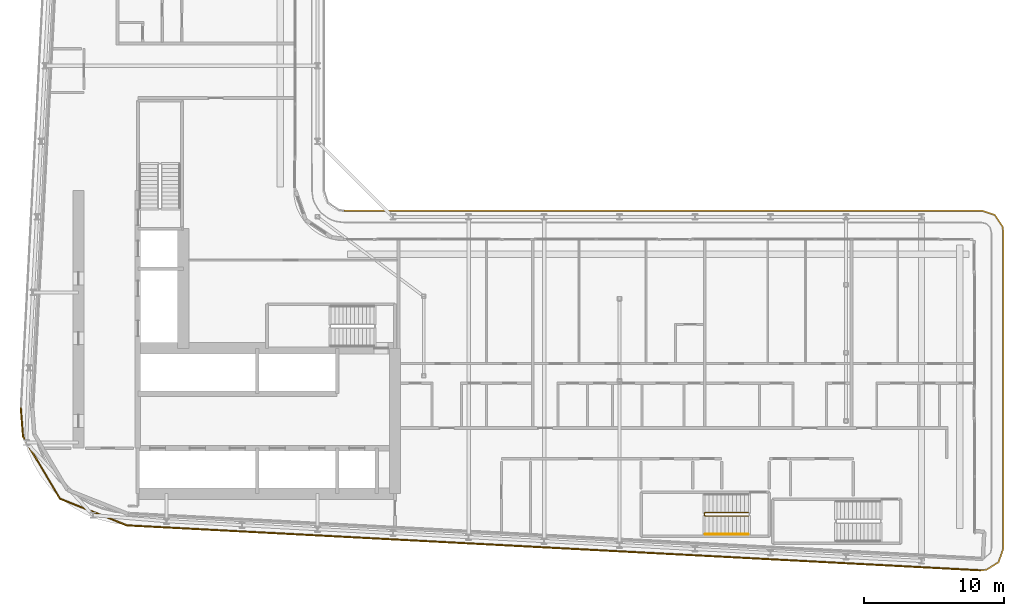
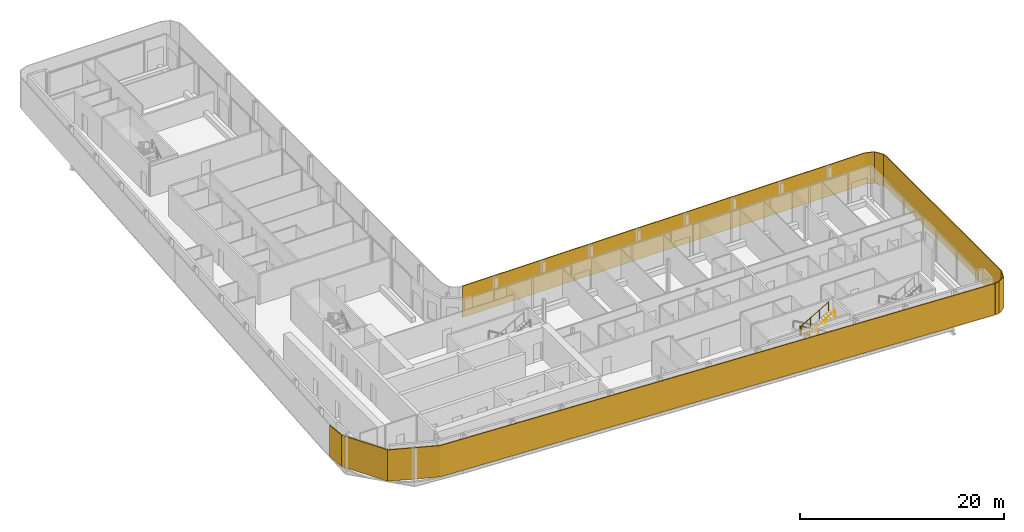
# One storey, part 25 of 29: 2 railings, 2 shading devices.
"""IFC4 building model written with IfcOpenShell, lengths in metres."""

from ifc_helpers import new_model, si_unit, direction, frame, origin, origin_2d, place, context, subcontext, project, spatial, polyline, circle, outline, extrude, material, layer, layer_set, type_object, element, save


model = new_model("IFC4")

# Units and contexts
model_context = context("Model", 3, precision=1e-05, world=origin(), true_north=direction((0.0, 1.0)))
body_context = subcontext(model_context, "Body", "Model", "MODEL_VIEW")
ifc_project = project(units=[si_unit("LENGTHUNIT", "METRE"), si_unit("AREAUNIT", "SQUARE_METRE"), si_unit("VOLUMEUNIT", "CUBIC_METRE"), si_unit("PLANEANGLEUNIT", "RADIAN"), si_unit("MASSUNIT", "GRAM", prefix="KILO")], contexts=[model_context])

# Site, building, storey
site_placement = place(None, origin())
site = spatial("IfcSite", under=ifc_project, at=site_placement, CompositionType="ELEMENT")
building_placement = place(site_placement, origin())
building = spatial("IfcBuilding", under=site, at=building_placement, Name="Kheshtan School and Residences Tower", CompositionType="ELEMENT")
storey_placement = place(building_placement, frame((0.0, 0.0, 172.10009765625)))
storey = spatial("IfcBuildingStorey", under=building, at=storey_placement, Name="L40", CompositionType="ELEMENT", Elevation=172.10009765625)

# Shading devices
ifc_material_1 = material(Name="Terracotta baguette, extruded ceramic", Category="masonry")
ifc_layer_1 = layer(ifc_material_1, 0.10009765625)
ifc_layer_set_1 = layer_set([ifc_layer_1], Name="Ledge screen, terracotta baguettes")
shading_device_type_1 = type_object("IfcShadingDeviceType", Name="Ledge screen, terracotta baguettes", PredefinedType="USERDEFINED", material=ifc_layer_set_1)
shading_device_1_placement = place(storey_placement, origin())
element("IfcShadingDevice", 1, at=shading_device_1_placement, inside=storey, type_object=shading_device_type_1, Name="Screen L40 3", ObjectType="BAGUETTE", PredefinedType="USERDEFINED", context=body_context, shape_type="SweptSolid", body=[
    extrude(outline(polyline([(95.02099609375, 20.366943359375), (33.989013671875, 23.580078125), (29.2119140625, 25.486083984375), (26.583984375, 29.906982421875), (26.419921875, 31.989013671875), (26.320068359375, 31.98095703125), (26.486083984375, 29.8759765625), (29.14306640625, 25.406005859375), (33.967041015625, 23.48095703125), (95.01611328125, 20.26708984375), (95.02099609375, 20.366943359375)])), origin(), (0.0, 0.0, 1.0), 3.75),
])
ifc_material_2 = material(Name="Terracotta lattice, extruded ceramic", Category="masonry")
ifc_layer_2 = layer(ifc_material_2, 0.10009765625)
ifc_layer_set_2 = layer_set([ifc_layer_2], Name="Loggia screen, terracotta lattice")
shading_device_type_2 = type_object("IfcShadingDeviceType", Name="Loggia screen, terracotta lattice", PredefinedType="USERDEFINED", material=ifc_layer_set_2)
shading_device_2_placement = place(storey_placement, origin())
element("IfcShadingDevice", 2, at=shading_device_2_placement, inside=storey, type_object=shading_device_type_2, Name="Screen L40 2", ObjectType="SCREEN", PredefinedType="USERDEFINED", context=body_context, shape_type="SweptSolid", body=[
    extrude(outline(polyline([(49.5, 46.0), (95.10009765625, 46.0), (96.012939453125, 45.68994140625), (96.549072265625, 44.887939453125), (96.60009765625, 44.5), (96.60009765625, 21.864990234375), (96.27001953125, 20.926025390625), (95.424072265625, 20.40087890625), (95.02099609375, 20.366943359375), (95.029052734375, 20.26708984375), (95.4560546875, 20.302978515625), (96.35302734375, 20.860107421875), (96.699951171875, 21.847900390625), (96.699951171875, 44.507080078125), (96.64501953125, 44.924072265625), (96.076904296875, 45.77392578125), (95.116943359375, 46.10009765625), (49.5, 46.10009765625), (49.5, 46.0)])), origin(), (0.0, 0.0, 1.0), 3.75),
])

# Railings
ifc_material_3 = material(Name="Stainless steel balustrade", Category="steel")
railing_type_1 = type_object("IfcRailingType", Name="Stair guard 1100", PredefinedType="GUARDRAIL", material=ifc_material_3)
railing_1_placement = place(storey_placement, frame((78.409912109375, 24.449951171875, 0.162353515625)))
element("IfcRailing", 3, at=railing_1_placement, inside=storey, type_object=railing_type_1, Name="L40 ST5 stair guard 1", PredefinedType="GUARDRAIL", context=body_context, shape_type="SweptSolid", body=[
    extrude(circle(Radius=0.02392578125, at=origin_2d()), frame((0.0, 0.0, 1.076171875), z_axis=(-0.864873446163, 0.0, 0.501989962173), x_axis=(0.0, -1.0, 0.0)), (0.0, 0.0, 1.0), 3.56103515625),
    extrude(circle(Radius=0.02392578125, at=origin_2d()), frame((-3.079833984375, 0.0, 2.86376953125), z_axis=(-0.707106781187, -0.707106781187, 0.0), x_axis=(0.707106781187, -0.707106781187, 0.0)), (0.0, 0.0, 1.0), 0.07080078125),
    extrude(circle(Radius=0.02392578125, at=origin_2d()), frame((-3.1298828125, -0.050048828125, 2.86376953125), z_axis=(0.0, -1.0, 0.0), x_axis=(1.0, 0.0, 0.0)), (0.0, 0.0, 1.0), 0.14990234375),
    extrude(circle(Radius=0.02392578125, at=origin_2d()), frame((-3.1298828125, -0.199951171875, 2.86376953125), z_axis=(0.282583949758, -0.282583949758, 0.916674763849), x_axis=(0.707106781187, 0.707106781187, 0.0)), (0.0, 0.0, 1.0), 0.177001953125),
    extrude(circle(Radius=0.02392578125, at=origin_2d()), frame((-3.079833984375, -0.25, 3.02587890625), z_axis=(0.864873446163, 0.0, 0.501989962173), x_axis=(0.0, 1.0, 0.0)), (0.0, 0.0, 1.0), 3.56103515625),
    extrude(circle(Radius=0.02099609375, at=origin_2d()), origin(), (0.0, 0.0, 1.0), 1.052001953125),
    extrude(circle(Radius=0.02099609375, at=origin_2d()), frame((-1.026611328125, 0.0, 0.595947265625)), (0.0, 0.0, 1.0), 1.052001953125),
    extrude(circle(Radius=0.02099609375, at=origin_2d()), frame((-2.05322265625, 0.0, 1.191650390625)), (0.0, 0.0, 1.0), 1.052001953125),
    extrude(circle(Radius=0.02099609375, at=origin_2d()), frame((-3.079833984375, 0.0, 1.78759765625)), (0.0, 0.0, 1.0), 1.052001953125),
    extrude(circle(Radius=0.02099609375, at=origin_2d()), frame((-3.1298828125, -0.050048828125, 1.78759765625)), (0.0, 0.0, 1.0), 1.052001953125),
    extrude(circle(Radius=0.02099609375, at=origin_2d()), frame((-3.1298828125, -0.199951171875, 1.78759765625)), (0.0, 0.0, 1.0), 1.052001953125),
    extrude(circle(Radius=0.02099609375, at=origin_2d()), frame((-3.079833984375, -0.25, 1.949951171875)), (0.0, 0.0, 1.0), 1.052001953125),
    extrude(circle(Radius=0.02099609375, at=origin_2d()), frame((-2.05322265625, -0.25, 2.5458984375)), (0.0, 0.0, 1.0), 1.052001953125),
    extrude(circle(Radius=0.02099609375, at=origin_2d()), frame((-1.026611328125, -0.25, 3.1416015625)), (0.0, 0.0, 1.0), 1.052001953125),
    extrude(circle(Radius=0.02099609375, at=origin_2d()), frame((0.0, -0.25, 3.737548828125)), (0.0, 0.0, 1.0), 1.052001953125),
])
ifc_material_4 = material(Name="Stainless steel handrail", Category="steel")
railing_type_2 = type_object("IfcRailingType", Name="Stair handrail 900", PredefinedType="HANDRAIL", material=ifc_material_4)
railing_2_placement = place(storey_placement, frame((75.330078125, 22.89990234375, 2.1123046875)))
element("IfcRailing", 4, at=railing_2_placement, inside=storey, type_object=railing_type_2, Name="L40 ST5 stair handrail 2", PredefinedType="HANDRAIL", context=body_context, shape_type="SweptSolid", body=[
    extrude(circle(Radius=0.02392578125, at=origin_2d()), frame((0.0, 0.0, 0.8759765625), z_axis=(0.864873446163, 0.0, 0.501989962173), x_axis=(0.0, 1.0, 0.0)), (0.0, 0.0, 1.0), 3.56103515625),
    extrude(circle(Radius=0.02099609375, at=origin_2d()), origin(), (0.0, 0.0, 1.0), 0.851806640625),
    extrude(circle(Radius=0.02099609375, at=origin_2d()), frame((1.026611328125, 0.0, 0.595947265625)), (0.0, 0.0, 1.0), 0.851806640625),
    extrude(circle(Radius=0.02099609375, at=origin_2d()), frame((2.05322265625, 0.0, 1.191650390625)), (0.0, 0.0, 1.0), 0.851806640625),
    extrude(circle(Radius=0.02099609375, at=origin_2d()), frame((3.079833984375, 0.0, 1.78759765625)), (0.0, 0.0, 1.0), 0.851806640625),
])

save(model, "model.ifc")
